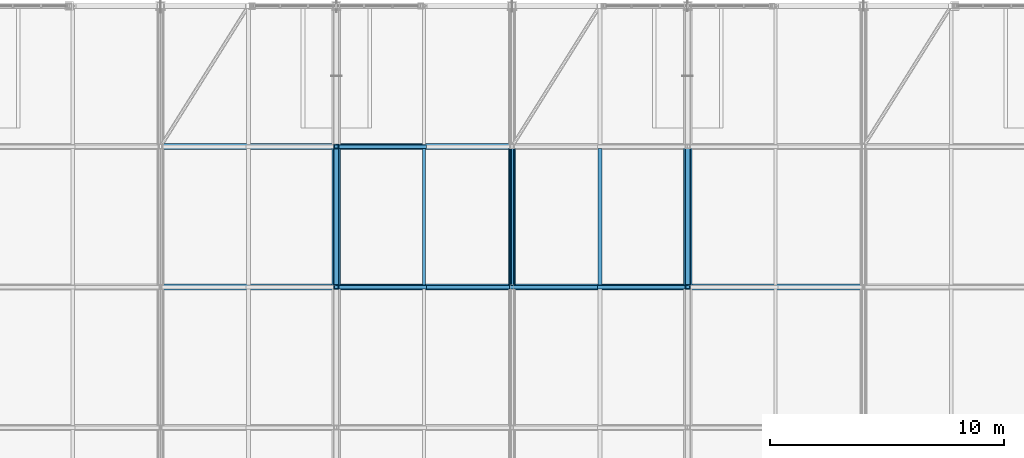
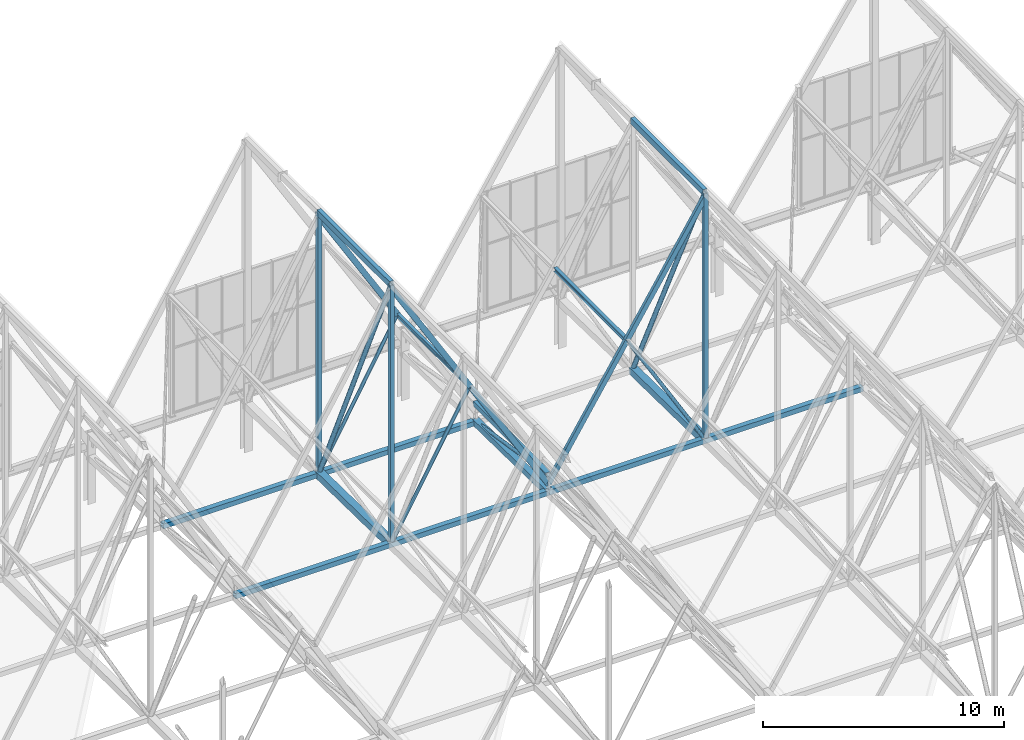
# One storey, part 166 of 324: 23 members, 2 beams.
"""IFC4 building model written with IfcOpenShell, lengths in metres."""

from ifc_helpers import new_model, si_unit, direction, frame, origin, origin_2d, place, context, subcontext, project, spatial, hollow_rectangle, hollow_circle, i_section, extrude, material, material_profile, profile_set, type_object, element, save


model = new_model("IFC4")

# Units and contexts
model_context = context("Model", 3, precision=1e-05, world=origin(), true_north=direction((0.0, 1.0)))
body_context = subcontext(model_context, "Body", "Model", "MODEL_VIEW")
ifc_project = project(units=[si_unit("LENGTHUNIT", "METRE"), si_unit("AREAUNIT", "SQUARE_METRE"), si_unit("VOLUMEUNIT", "CUBIC_METRE"), si_unit("PLANEANGLEUNIT", "RADIAN"), si_unit("MASSUNIT", "GRAM", prefix="KILO")], contexts=[model_context])

# Site, building, storey
site_placement = place(None, origin())
site = spatial("IfcSite", under=ifc_project, at=site_placement, CompositionType="ELEMENT")
building_placement = place(site_placement, origin())
building = spatial("IfcBuilding", under=site, at=building_placement, Name="Solvenia Promenade Tram Depot", CompositionType="ELEMENT")
storey_placement = place(building_placement, frame((0.0, 0.0, 4.5)))
storey = spatial("IfcBuildingStorey", under=building, at=storey_placement, Name="L01", CompositionType="ELEMENT", Elevation=4.5)

# Members
ifc_material_1 = material(Name="Structural steel ASTM A500 Gr. C", Category="steel")
ifc_material_profile_1 = material_profile(ifc_material_1, hollow_circle(Radius=0.109619140625, WallThickness=0.008056640625, at=origin_2d()), Name="CHS219.1x8", Category="steel")
ifc_profile_set_1 = profile_set([ifc_material_profile_1], Name="Structural steel ASTM A500 Gr. C")
member_type_1 = type_object("IfcMemberType", Name="Brace-CHS219x8", PredefinedType="BRACE", material=ifc_profile_set_1)
member_1_placement = place(storey_placement, frame((112.5, 120.0, 2.446044921875), z_axis=(0.0, -0.413778842299, 0.910377432533), x_axis=(1.0, 0.0, 0.0)))
element("IfcMember", 1, at=member_1_placement, inside=storey, type_object=member_type_1, Name="Arched Truss T16 Web Diagonal S09", PredefinedType="BRACE", context=body_context, shape_type="SweptSolid", body=[
    extrude(hollow_circle(Radius=0.109619140625, WallThickness=0.008056640625, at=origin_2d()), origin(), (0.0, 0.0, 1.0), 14.50048828125),
])
member_2_placement = place(storey_placement, frame((127.5, 120.0, 2.446044921875), z_axis=(0.0, -0.430100688275, 0.902780924669), x_axis=(1.0, 0.0, 0.0)))
element("IfcMember", 2, at=member_2_placement, inside=storey, type_object=member_type_1, Name="Arched Truss T18 Web Diagonal S09", PredefinedType="BRACE", context=body_context, shape_type="SweptSolid", body=[
    extrude(hollow_circle(Radius=0.109619140625, WallThickness=0.008056640625, at=origin_2d()), origin(), (0.0, 0.0, 1.0), 13.9501953125),
])
ifc_material_profile_2 = material_profile(ifc_material_1, hollow_rectangle(XDim=0.14990234375, YDim=0.25, WallThickness=0.010009765625, at=origin_2d()), Name="HSS250x150x10", Category="steel")
ifc_profile_set_2 = profile_set([ifc_material_profile_2], Name="Structural steel ASTM A500 Gr. C")
member_type_2 = type_object("IfcMemberType", Name="Chord-HSS250x150x10", PredefinedType="CHORD", material=ifc_profile_set_2)
for number, where, z_axis, x_axis, name in (
    (3, (112.5, 114.0, 15.42724609375), (0.514584433357, 0.0, -0.857439712718), (0.0, 1.0, 0.0), "Zigzag Gable 08 East Upper Rafter"),
    (4, (116.25, 114.0, 9.1787109375), (0.514584433357, 0.0, -0.857439712718), (0.0, 1.0, 0.0), "Zigzag Gable 08 East Lower Rafter"),
    (5, (112.5, 120.0, 15.42724609375), (0.514584433357, 0.0, -0.857439712718), (0.0, 1.0, 0.0), "Zigzag Gable 08 East Upper Rafter"),
):
    element("IfcMember", number, at=place(storey_placement, frame(where, z_axis=z_axis, x_axis=x_axis)), inside=storey, type_object=member_type_2, Name=name, PredefinedType="CHORD", context=body_context, shape_type="SweptSolid", body=[
        extrude(hollow_rectangle(XDim=0.14990234375, YDim=0.25, WallThickness=0.010009765625, at=origin_2d()), origin(), (0.0, 0.0, 1.0), 7.287353515625),
    ])
member_3_placement = place(storey_placement, frame((120.0, 114.0, 2.942626953125), z_axis=(0.533506771487, 0.0, 0.845795793781), x_axis=(0.0, 1.0, 0.0)))
element("IfcMember", 6, at=member_3_placement, inside=storey, type_object=member_type_2, Name="Zigzag Gable 09 West Lower Rafter", PredefinedType="CHORD", context=body_context, shape_type="SweptSolid", body=[
    extrude(hollow_rectangle(XDim=0.14990234375, YDim=0.25, WallThickness=0.010009765625, at=origin_2d()), origin(), (0.0, 0.0, 1.0), 7.029052734375),
])
member_4_placement = place(storey_placement, frame((123.75, 114.0, 8.8876953125), z_axis=(0.533522444929, 0.0, 0.845785907164), x_axis=(0.0, 1.0, 0.0)))
element("IfcMember", 7, at=member_4_placement, inside=storey, type_object=member_type_2, Name="Zigzag Gable 09 West Upper Rafter", PredefinedType="CHORD", context=body_context, shape_type="SweptSolid", body=[
    extrude(hollow_rectangle(XDim=0.14990234375, YDim=0.25, WallThickness=0.010009765625, at=origin_2d()), origin(), (0.0, 0.0, 1.0), 7.02880859375),
])
ifc_material_profile_3 = material_profile(ifc_material_1, hollow_rectangle(XDim=0.25, YDim=0.25, WallThickness=0.010009765625, at=origin_2d()), Name="HSS250x250x10", Category="steel")
ifc_profile_set_3 = profile_set([ifc_material_profile_3], Name="Structural steel ASTM A500 Gr. C")
member_type_3 = type_object("IfcMemberType", Name="Chord-HSS250x250x10", PredefinedType="CHORD", material=ifc_profile_set_3)
member_5_placement = place(storey_placement, frame((120.0, 114.0, 3.3798828125), z_axis=(0.0, 1.0, 0.0), x_axis=(-1.0, 0.0, 0.0)))
element("IfcMember", 8, at=member_5_placement, inside=storey, type_object=member_type_3, Name="Arched Truss T17 Upper Chord S09", PredefinedType="CHORD", context=body_context, shape_type="SweptSolid", body=[
    extrude(hollow_rectangle(XDim=0.25, YDim=0.25, WallThickness=0.010009765625, at=origin_2d()), origin(), (0.0, 0.0, 1.0), 6.0),
])
for number, where, z_axis, x_axis, name in (
    (9, (105.0, 114.0, 2.5439453125), (1.0, 0.0, 0.0), (0.0, 1.0, 0.0), "Bottom-Chord Catenary Lateral Tie 071"),
    (10, (105.0, 120.0, 2.446044921875), (1.0, 0.0, 0.0), (0.0, 1.0, 0.0), "Bottom-Chord Catenary Lateral Tie 072"),
    (11, (120.0, 114.0, 2.5439453125), (1.0, 0.0, 0.0), (0.0, 1.0, 0.0), "Bottom-Chord Catenary Lateral Tie 080"),
):
    element("IfcMember", number, at=place(storey_placement, frame(where, z_axis=z_axis, x_axis=x_axis)), inside=storey, type_object=member_type_3, Name=name, PredefinedType="CHORD", context=body_context, shape_type="SweptSolid", body=[
        extrude(hollow_rectangle(XDim=0.25, YDim=0.25, WallThickness=0.010009765625, at=origin_2d()), origin(), (0.0, 0.0, 1.0), 15.0),
    ])
ifc_material_profile_4 = material_profile(ifc_material_1, hollow_rectangle(XDim=0.199951171875, YDim=0.300048828125, WallThickness=0.012451171875, at=origin_2d()), Name="HSS300x200x12.5", Category="steel")
ifc_profile_set_4 = profile_set([ifc_material_profile_4], Name="Structural steel ASTM A500 Gr. C")
member_type_4 = type_object("IfcMemberType", Name="Chord-HSS300x200x12", PredefinedType="CHORD", material=ifc_profile_set_4)
for number, where, z_axis, x_axis, name in (
    (12, (112.5, 114.0, 15.64697265625), (0.0, 1.0, 0.0), (-1.0, 0.0, 0.0), "Arched Truss T16 Upper Chord S09"),
    (13, (127.5, 114.0, 15.0400390625), (0.0, 1.0, 0.0), (-1.0, 0.0, 0.0), "Arched Truss T18 Upper Chord S09"),
):
    element("IfcMember", number, at=place(storey_placement, frame(where, z_axis=z_axis, x_axis=x_axis)), inside=storey, type_object=member_type_4, Name=name, PredefinedType="CHORD", context=body_context, shape_type="SweptSolid", body=[
        extrude(hollow_rectangle(XDim=0.199951171875, YDim=0.300048828125, WallThickness=0.012451171875, at=origin_2d()), origin(), (0.0, 0.0, 1.0), 6.0),
    ])
ifc_material_profile_5 = material_profile(ifc_material_1, hollow_rectangle(XDim=0.300048828125, YDim=0.300048828125, WallThickness=0.012451171875, at=origin_2d()), Name="HSS300x300x12.5", Category="steel")
ifc_profile_set_5 = profile_set([ifc_material_profile_5], Name="Structural steel ASTM A500 Gr. C")
member_type_5 = type_object("IfcMemberType", Name="Chord-HSS300x300x12", PredefinedType="CHORD", material=ifc_profile_set_5)
member_6_placement = place(storey_placement, frame((120.0, 114.0, 2.5439453125), z_axis=(0.0, 0.999866908707, -0.016314560156), x_axis=(-1.0, 0.0, 0.0)))
element("IfcMember", 14, at=member_6_placement, inside=storey, type_object=member_type_5, Name="Arched Truss T17 Bottom Chord S09", PredefinedType="CHORD", context=body_context, shape_type="SweptSolid", body=[
    extrude(hollow_rectangle(XDim=0.300048828125, YDim=0.300048828125, WallThickness=0.012451171875, at=origin_2d()), origin(), (0.0, 0.0, 1.0), 6.000732421875),
])
ifc_material_profile_6 = material_profile(ifc_material_1, hollow_rectangle(XDim=0.35009765625, YDim=0.35009765625, WallThickness=0.01611328125, at=origin_2d()), Name="HSS350x350x16", Category="steel")
ifc_profile_set_6 = profile_set([ifc_material_profile_6], Name="Structural steel ASTM A500 Gr. C")
member_type_6 = type_object("IfcMemberType", Name="Chord-HSS350x350x16", PredefinedType="CHORD", material=ifc_profile_set_6)
for number, where, z_axis, x_axis, name in (
    (15, (112.5, 114.0, 2.5439453125), (0.0, 0.999866908707, -0.016314560156), (-1.0, 0.0, 0.0), "Arched Truss T16 Bottom Chord S09"),
    (16, (127.5, 114.0, 2.5439453125), (0.0, 0.999866908707, -0.016314560156), (-1.0, 0.0, 0.0), "Arched Truss T18 Bottom Chord S09"),
):
    element("IfcMember", number, at=place(storey_placement, frame(where, z_axis=z_axis, x_axis=x_axis)), inside=storey, type_object=member_type_6, Name=name, PredefinedType="CHORD", context=body_context, shape_type="SweptSolid", body=[
        extrude(hollow_rectangle(XDim=0.35009765625, YDim=0.35009765625, WallThickness=0.01611328125, at=origin_2d()), origin(), (0.0, 0.0, 1.0), 6.000732421875),
    ])
ifc_material_profile_7 = material_profile(ifc_material_1, hollow_rectangle(XDim=0.199951171875, YDim=0.199951171875, WallThickness=0.010009765625, at=origin_2d()), Name="HSS200x200x10", Category="steel")
ifc_profile_set_7 = profile_set([ifc_material_profile_7], Name="Structural steel ASTM A500 Gr. C")
member_type_7 = type_object("IfcMemberType", Name="Post-HSS200x200x10", PredefinedType="POST", material=ifc_profile_set_7)
member_7_placement = place(storey_placement, frame((112.5, 114.0, 2.5439453125), z_axis=(0.0, 0.0, 1.0), x_axis=(1.0, 0.0, 0.0)))
element("IfcMember", 17, at=member_7_placement, inside=storey, type_object=member_type_7, Name="Arched Truss T16 Web Post S08", PredefinedType="POST", context=body_context, shape_type="SweptSolid", body=[
    extrude(hollow_rectangle(XDim=0.199951171875, YDim=0.199951171875, WallThickness=0.010009765625, at=origin_2d()), origin(), (0.0, 0.0, 1.0), 13.10302734375),
])
member_8_placement = place(storey_placement, frame((112.5, 120.0, 2.446044921875), z_axis=(0.0, 0.0, 1.0), x_axis=(1.0, 0.0, 0.0)))
element("IfcMember", 18, at=member_8_placement, inside=storey, type_object=member_type_7, Name="Arched Truss T16 Web Post S09", PredefinedType="POST", context=body_context, shape_type="SweptSolid", body=[
    extrude(hollow_rectangle(XDim=0.199951171875, YDim=0.199951171875, WallThickness=0.010009765625, at=origin_2d()), origin(), (0.0, 0.0, 1.0), 13.200927734375),
])
member_9_placement = place(storey_placement, frame((127.5, 114.0, 2.5439453125), z_axis=(0.0, 0.0, 1.0), x_axis=(1.0, 0.0, 0.0)))
element("IfcMember", 19, at=member_9_placement, inside=storey, type_object=member_type_7, Name="Arched Truss T18 Web Post S08", PredefinedType="POST", context=body_context, shape_type="SweptSolid", body=[
    extrude(hollow_rectangle(XDim=0.199951171875, YDim=0.199951171875, WallThickness=0.010009765625, at=origin_2d()), origin(), (0.0, 0.0, 1.0), 12.49609375),
])

# Beams
ifc_material_2 = material(Name="Structural steel ASTM A992 Gr. 50", Category="steel")
ifc_material_profile_8 = material_profile(ifc_material_2, i_section(OverallWidth=0.133056640625, OverallDepth=0.20703125, WebThickness=0.005859375, FlangeThickness=0.00830078125, FilletRadius=0.009033203125, at=origin_2d()), Name="W200x27", Category="steel")
ifc_profile_set_8 = profile_set([ifc_material_profile_8], Name="Structural steel ASTM A992 Gr. 50")
beam_type_1 = type_object("IfcBeamType", Name="Purlin-W200x27", PredefinedType="USERDEFINED", material=ifc_profile_set_8)
beam_1_placement = place(storey_placement, frame((116.25, 114.0849609375, 9.169677734375), z_axis=(0.0, 1.0, 0.0), x_axis=(-1.0, 0.0, 0.0)))
element("IfcBeam", 20, at=beam_1_placement, inside=storey, type_object=beam_type_1, Name="Gable Roof Purlin E-0158", ObjectType="PURLIN", PredefinedType="USERDEFINED", context=body_context, shape_type="SweptSolid", body=[
    extrude(i_section(OverallWidth=0.133056640625, OverallDepth=0.20703125, WebThickness=0.005859375, FlangeThickness=0.00830078125, FilletRadius=0.009033203125, at=origin_2d()), origin(), (0.0, 0.0, 1.0), 5.830078125),
])
ifc_material_profile_9 = material_profile(ifc_material_2, i_section(OverallWidth=0.1650390625, OverallDepth=0.200927734375, WebThickness=0.006103515625, FlangeThickness=0.01025390625, FilletRadius=0.010009765625, at=origin_2d()), Name="W200x36", Category="steel")
ifc_profile_set_9 = profile_set([ifc_material_profile_9], Name="Structural steel ASTM A992 Gr. 50")
beam_type_2 = type_object("IfcBeamType", Name="Purlin-W200x36", PredefinedType="USERDEFINED", material=ifc_profile_set_9)
beam_2_placement = place(storey_placement, frame((123.75, 114.0849609375, 8.8857421875), z_axis=(0.0, 1.0, 0.0), x_axis=(-1.0, 0.0, 0.0)))
element("IfcBeam", 21, at=beam_2_placement, inside=storey, type_object=beam_type_2, Name="Gable Roof Purlin W-0177", ObjectType="PURLIN", PredefinedType="USERDEFINED", context=body_context, shape_type="SweptSolid", body=[
    extrude(i_section(OverallWidth=0.1650390625, OverallDepth=0.200927734375, WebThickness=0.006103515625, FlangeThickness=0.01025390625, FilletRadius=0.010009765625, at=origin_2d()), origin(), (0.0, 0.0, 1.0), 5.830078125),
])

# Members
ifc_material_profile_10 = material_profile(ifc_material_1, hollow_circle(Radius=0.084228515625, WallThickness=0.008056640625, at=origin_2d()), Name="CHS168.3x8", Category="steel")
ifc_profile_set_10 = profile_set([ifc_material_profile_10], Name="Structural steel ASTM A500 Gr. C")
member_type_8 = type_object("IfcMemberType", Name="WebDiag-CHS168x8", PredefinedType="BRACE", material=ifc_profile_set_10)
member_10_placement = place(storey_placement, frame((120.0, 120.0, 2.446044921875), z_axis=(0.0, -0.9881038455, 0.153788135133), x_axis=(1.0, 0.0, 0.0)))
element("IfcMember", 22, at=member_10_placement, inside=storey, type_object=member_type_8, Name="Arched Truss T17 Web Diagonal S09", PredefinedType="BRACE", context=body_context, shape_type="SweptSolid", body=[
    extrude(hollow_circle(Radius=0.084228515625, WallThickness=0.008056640625, at=origin_2d()), origin(), (0.0, 0.0, 1.0), 6.072265625),
])
member_11_placement = place(storey_placement, frame((112.5, 114.0, 2.5439453125), z_axis=(0.492048812039, 0.0, 0.870567611717), x_axis=(0.0, 1.0, 0.0)))
element("IfcMember", 23, at=member_11_placement, inside=storey, type_object=member_type_8, Name="Zigzag Gable 08 East Knee Strut", PredefinedType="BRACE", context=body_context, shape_type="SweptSolid", body=[
    extrude(hollow_circle(Radius=0.084228515625, WallThickness=0.008056640625, at=origin_2d()), origin(), (0.0, 0.0, 1.0), 7.62109375),
])
member_12_placement = place(storey_placement, frame((112.5, 120.0, 2.446044921875), z_axis=(0.486597510161, 0.0, 0.873626271986), x_axis=(0.0, 1.0, 0.0)))
element("IfcMember", 24, at=member_12_placement, inside=storey, type_object=member_type_8, Name="Zigzag Gable 08 East Knee Strut", PredefinedType="BRACE", context=body_context, shape_type="SweptSolid", body=[
    extrude(hollow_circle(Radius=0.084228515625, WallThickness=0.008056640625, at=origin_2d()), origin(), (0.0, 0.0, 1.0), 7.70654296875),
])
member_13_placement = place(storey_placement, frame((127.5, 114.0, 2.5439453125), z_axis=(-0.508872173777, 0.0, 0.860842093973), x_axis=(0.0, -1.0, 0.0)))
element("IfcMember", 25, at=member_13_placement, inside=storey, type_object=member_type_8, Name="Zigzag Gable 09 West Knee Strut", PredefinedType="BRACE", context=body_context, shape_type="SweptSolid", body=[
    extrude(hollow_circle(Radius=0.084228515625, WallThickness=0.008056640625, at=origin_2d()), origin(), (0.0, 0.0, 1.0), 7.369140625),
])

save(model, "model.ifc")
